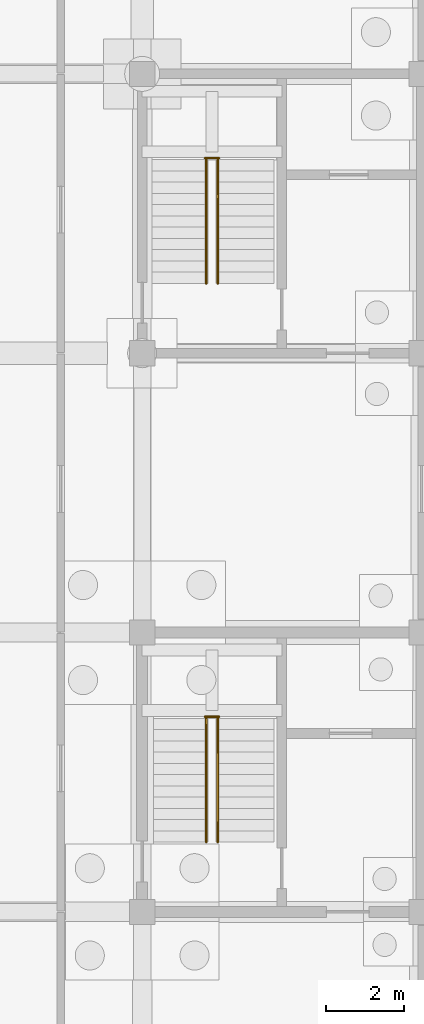
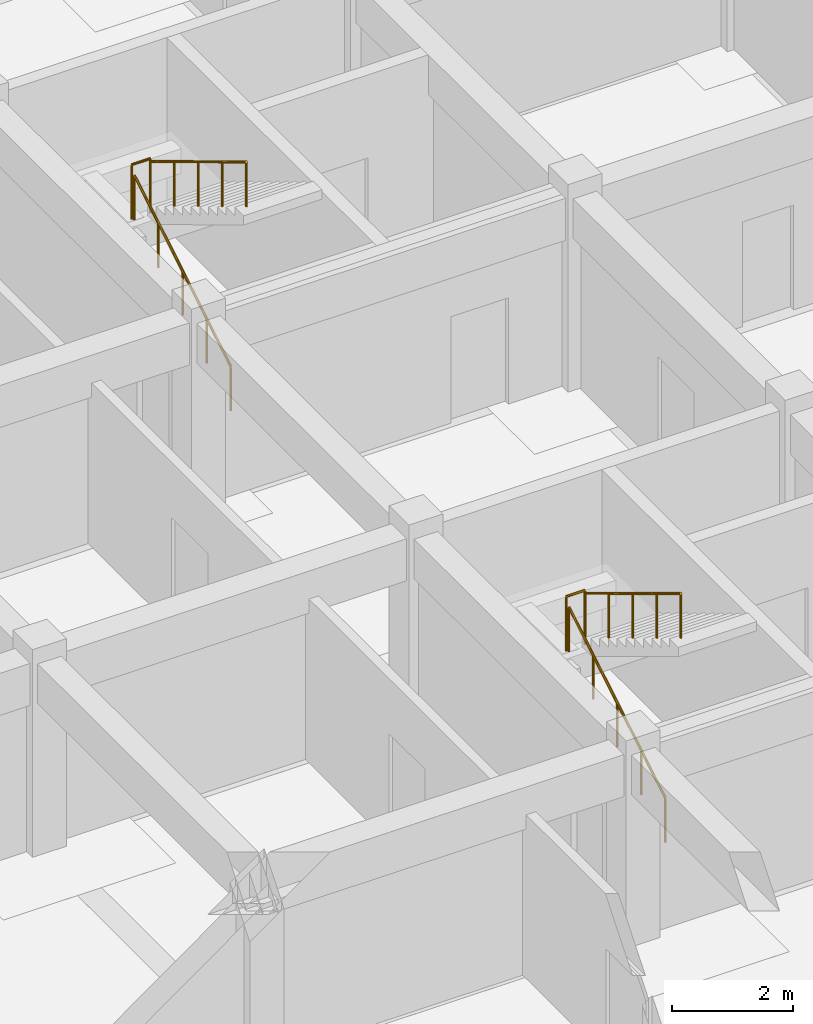
# One storey, part 37 of 38: 6 railings.
"""IFC4 building model written with IfcOpenShell, lengths in metres."""

from ifc_helpers import new_model, si_unit, direction, frame, origin, origin_2d, place, context, subcontext, project, spatial, circle, extrude, material, type_object, element, save


model = new_model("IFC4")

# Units and contexts
model_context = context("Model", 3, precision=1e-05, world=origin(), true_north=direction((0.0, 1.0)))
body_context = subcontext(model_context, "Body", "Model", "MODEL_VIEW")
ifc_project = project(units=[si_unit("LENGTHUNIT", "METRE"), si_unit("AREAUNIT", "SQUARE_METRE"), si_unit("VOLUMEUNIT", "CUBIC_METRE"), si_unit("PLANEANGLEUNIT", "RADIAN"), si_unit("MASSUNIT", "GRAM", prefix="KILO"), si_unit("THERMODYNAMICTEMPERATUREUNIT", "KELVIN"), si_unit("POWERUNIT", "WATT")], contexts=[model_context])

# Site, building, storey
site_placement = place(None, origin())
site = spatial("IfcSite", under=ifc_project, at=site_placement, CompositionType="ELEMENT")
building_placement = place(site_placement, origin())
building = spatial("IfcBuilding", under=site, at=building_placement, Name="Tavuni Mirador Residences", CompositionType="ELEMENT")
storey_placement = place(building_placement, frame((0.0, 0.0, -4.199951171875)))
storey = spatial("IfcBuildingStorey", under=building, at=storey_placement, Name="B1", CompositionType="ELEMENT", Elevation=-4.199951171875)

# Railings
ifc_material = material(Name="Structural steel S355", Category="steel")
railing_type_1 = type_object("IfcRailingType", Name="RT-GR1120", PredefinedType="GUARDRAIL", material=ifc_material)
for number, where, name in (
    (1, (106.02001953125, 98.6298828125, 2.099853515625), "GRD-HL-ST7-B1"),
    (2, (106.02001953125, 113.030029296875, 2.099853515625), "GRD-HL-ST8-B1"),
):
    element("IfcRailing", number, at=place(storey_placement, frame(where)), inside=storey, type_object=railing_type_1, Name=name, PredefinedType="GUARDRAIL", context=body_context, shape_type="SweptSolid", body=[
        extrude(circle(Radius=0.02392578125, at=origin_2d()), frame((0.0, 0.0, 1.09619140625), z_axis=(1.0, 0.0, 0.0), x_axis=(0.0, 1.0, 0.0)), (0.0, 0.0, 1.0), 0.35986328125),
        extrude(circle(Radius=0.02099609375, at=origin_2d()), origin(), (0.0, 0.0, 1.0), 1.072021484375),
        extrude(circle(Radius=0.02099609375, at=origin_2d()), frame((0.35986328125, 0.0, 0.0)), (0.0, 0.0, 1.0), 1.072021484375),
    ])
railing_type_2 = type_object("IfcRailingType", Name="RT-HR920", PredefinedType="HANDRAIL", material=ifc_material)
railing_1_placement = place(storey_placement, frame((106.050048828125, 95.39990234375, 0.175048828125)))
element("IfcRailing", 3, at=railing_1_placement, inside=storey, type_object=railing_type_2, Name="HR-ST7-B1-F1", PredefinedType="HANDRAIL", context=body_context, shape_type="SweptSolid", body=[
    extrude(circle(Radius=0.02392578125, at=origin_2d()), frame((0.0, 0.0, 0.89599609375), z_axis=(0.0, 0.856224141417, 0.516604509905), x_axis=(-1.0, 0.0, 0.0)), (0.0, 0.0, 1.0), 3.725830078125),
    extrude(circle(Radius=0.02099609375, at=origin_2d()), origin(), (0.0, 0.0, 1.0), 0.871826171875),
    extrude(circle(Radius=0.02099609375, at=origin_2d()), frame((0.0, 0.797607421875, 0.481201171875)), (0.0, 0.0, 1.0), 0.871826171875),
    extrude(circle(Radius=0.02099609375, at=origin_2d()), frame((0.0, 1.59521484375, 0.96240234375)), (0.0, 0.0, 1.0), 0.871826171875),
    extrude(circle(Radius=0.02099609375, at=origin_2d()), frame((0.0, 2.392578125, 1.443603515625)), (0.0, 0.0, 1.0), 0.871826171875),
    extrude(circle(Radius=0.02099609375, at=origin_2d()), frame((0.0, 3.190185546875, 1.9248046875)), (0.0, 0.0, 1.0), 0.871826171875),
])
railing_2_placement = place(storey_placement, frame((106.35009765625, 98.590087890625, 2.27490234375)))
element("IfcRailing", 4, at=railing_2_placement, inside=storey, type_object=railing_type_2, Name="HR-ST7-B1-F2", PredefinedType="HANDRAIL", context=body_context, shape_type="SweptSolid", body=[
    extrude(circle(Radius=0.02392578125, at=origin_2d()), frame((0.0, 0.0, 0.89599609375), z_axis=(0.0, -0.856195157123, 0.516652545643), x_axis=(1.0, 0.0, 0.0)), (0.0, 0.0, 1.0), 3.72607421875),
    extrude(circle(Radius=0.02099609375, at=origin_2d()), origin(), (0.0, 0.0, 1.0), 0.871826171875),
    extrude(circle(Radius=0.02099609375, at=origin_2d()), frame((0.0, -0.797607421875, 0.481201171875)), (0.0, 0.0, 1.0), 0.871826171875),
    extrude(circle(Radius=0.02099609375, at=origin_2d()), frame((0.0, -1.59521484375, 0.96240234375)), (0.0, 0.0, 1.0), 0.871826171875),
    extrude(circle(Radius=0.02099609375, at=origin_2d()), frame((0.0, -2.392578125, 1.44384765625)), (0.0, 0.0, 1.0), 0.871826171875),
    extrude(circle(Radius=0.02099609375, at=origin_2d()), frame((0.0, -3.190185546875, 1.925048828125)), (0.0, 0.0, 1.0), 0.871826171875),
])
railing_3_placement = place(storey_placement, frame((106.050048828125, 109.800048828125, 0.175048828125)))
element("IfcRailing", 5, at=railing_3_placement, inside=storey, type_object=railing_type_2, Name="HR-ST8-B1-F1", PredefinedType="HANDRAIL", context=body_context, shape_type="SweptSolid", body=[
    extrude(circle(Radius=0.02392578125, at=origin_2d()), frame((0.0, 0.0, 0.89599609375), z_axis=(0.0, 0.856206652436, 0.516633495163), x_axis=(-1.0, 0.0, 0.0)), (0.0, 0.0, 1.0), 3.7255859375),
    extrude(circle(Radius=0.02099609375, at=origin_2d()), origin(), (0.0, 0.0, 1.0), 0.871826171875),
    extrude(circle(Radius=0.02099609375, at=origin_2d()), frame((0.0, 0.79736328125, 0.481201171875)), (0.0, 0.0, 1.0), 0.871826171875),
    extrude(circle(Radius=0.02099609375, at=origin_2d()), frame((0.0, 1.594970703125, 0.96240234375)), (0.0, 0.0, 1.0), 0.871826171875),
    extrude(circle(Radius=0.02099609375, at=origin_2d()), frame((0.0, 2.392578125, 1.443603515625)), (0.0, 0.0, 1.0), 0.871826171875),
    extrude(circle(Radius=0.02099609375, at=origin_2d()), frame((0.0, 3.18994140625, 1.9248046875)), (0.0, 0.0, 1.0), 0.871826171875),
])
railing_4_placement = place(storey_placement, frame((106.35009765625, 112.989990234375, 2.27490234375)))
element("IfcRailing", 6, at=railing_4_placement, inside=storey, type_object=railing_type_2, Name="HR-ST8-B1-F2", PredefinedType="HANDRAIL", context=body_context, shape_type="SweptSolid", body=[
    extrude(circle(Radius=0.02392578125, at=origin_2d()), frame((0.0, 0.0, 0.89599609375), z_axis=(0.0, -0.856177665481, 0.516681531633), x_axis=(1.0, 0.0, 0.0)), (0.0, 0.0, 1.0), 3.725830078125),
    extrude(circle(Radius=0.02099609375, at=origin_2d()), origin(), (0.0, 0.0, 1.0), 0.871826171875),
    extrude(circle(Radius=0.02099609375, at=origin_2d()), frame((0.0, -0.79736328125, 0.481201171875)), (0.0, 0.0, 1.0), 0.871826171875),
    extrude(circle(Radius=0.02099609375, at=origin_2d()), frame((0.0, -1.594970703125, 0.96240234375)), (0.0, 0.0, 1.0), 0.871826171875),
    extrude(circle(Radius=0.02099609375, at=origin_2d()), frame((0.0, -2.392578125, 1.44384765625)), (0.0, 0.0, 1.0), 0.871826171875),
    extrude(circle(Radius=0.02099609375, at=origin_2d()), frame((0.0, -3.18994140625, 1.925048828125)), (0.0, 0.0, 1.0), 0.871826171875),
])

save(model, "model.ifc")
